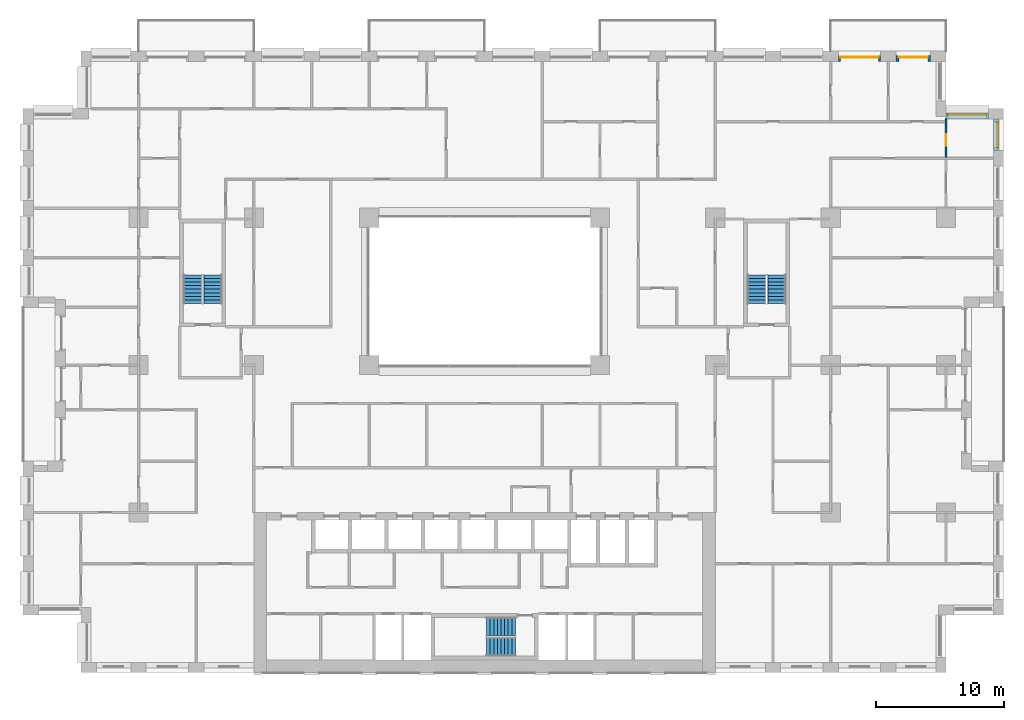
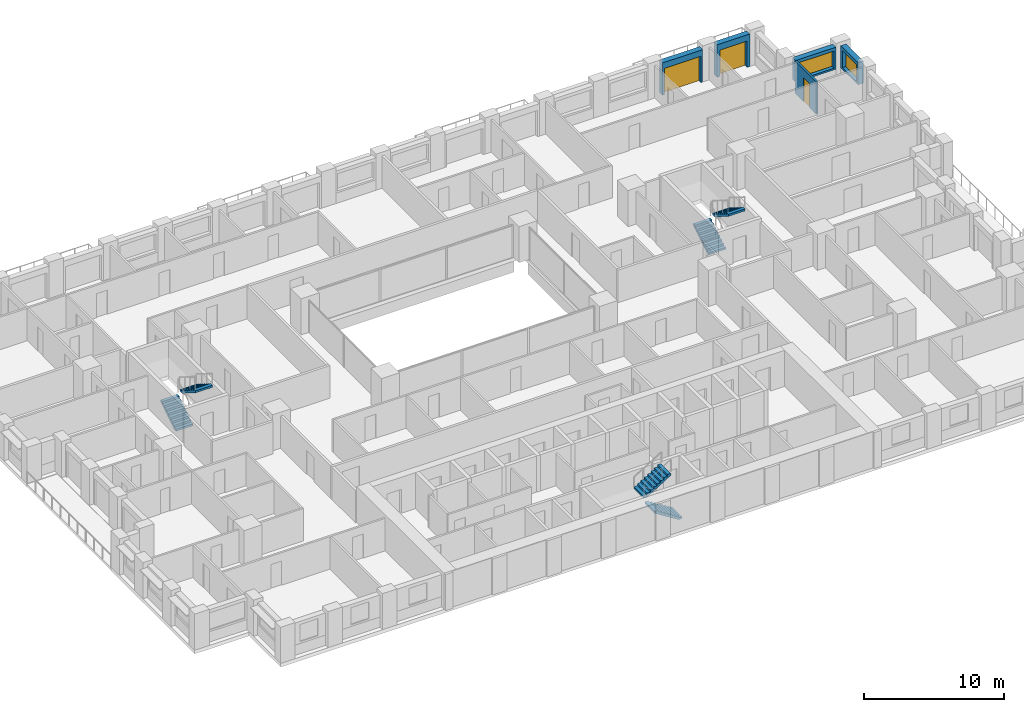
# One storey, part 18 of 20: 6 stair flights, 5 walls, 3 doors, 2 windows, 5 openings, 3 elements without a shape of their own.
"""IFC4 building model written with IfcOpenShell, lengths in metres."""

from ifc_helpers import new_model, si_unit, direction, frame, frame_2d, origin, place, context, subcontext, project, spatial, polyline, rectangle, outline, extrude, material, layer, layer_set, type_object, element, fill, aggregate, save


model = new_model("IFC4")

# Units and contexts
model_context = context("Model", 3, precision=1e-05, world=origin(), true_north=direction((0.0, 1.0)))
body_context = subcontext(model_context, "Body", "Model", "MODEL_VIEW")
ifc_project = project(units=[si_unit("LENGTHUNIT", "METRE"), si_unit("AREAUNIT", "SQUARE_METRE"), si_unit("VOLUMEUNIT", "CUBIC_METRE"), si_unit("PLANEANGLEUNIT", "RADIAN"), si_unit("MASSUNIT", "GRAM", prefix="KILO")], contexts=[model_context])

# Site, building, storey
site_placement = place(None, origin())
site = spatial("IfcSite", under=ifc_project, at=site_placement, CompositionType="ELEMENT")
building_placement = place(site_placement, origin())
building = spatial("IfcBuilding", under=site, at=building_placement, Name="Brigalow Station Residences", CompositionType="ELEMENT")
storey_placement = place(building_placement, frame((0.0, 0.0, 44.699951171875)))
storey = spatial("IfcBuildingStorey", under=building, at=storey_placement, Name="L12", CompositionType="ELEMENT", Elevation=44.699951171875)

# Wall, opening, window
ifc_material_1 = material(Name="Clay brick masonry", Category="masonry")
ifc_layer_1 = layer(ifc_material_1, 0.449951171875)
ifc_layer_set_1 = layer_set([ifc_layer_1], Name="BRICK INFILL WALL 450")
wall_type_1 = type_object("IfcWallType", Name="BRICK INFILL WALL 450", PredefinedType="SOLIDWALL", material=ifc_layer_set_1)
wall_1_placement = place(storey_placement, frame((75.925048828125, 40.72509765625, 0.900146484375), z_axis=(0.0, 0.0, 1.0), x_axis=(0.0, 1.0, 0.0)))
wall_1 = element("IfcWall", 1, at=wall_1_placement, inside=storey, type_object=wall_type_1, Name="L12/ewall/W-L12-22", PredefinedType="SOLIDWALL", context=body_context, shape_type="SweptSolid", body=[
    extrude(rectangle(XDim=2.474853515625, YDim=0.449951171875, at=frame_2d((1.2373046875, 0.0))), origin(), (0.0, 0.0, 1.0), 1.929931640625),
])
opening_1_placement = place(wall_1_placement, frame((0.237548828125, 0.0, 0.14990234375)))
opening_1 = element("IfcOpeningElement", 2, at=opening_1_placement, cuts=wall_1, Name="Opening WT-7", PredefinedType="OPENING", context=body_context, shape_type="SweptSolid", body=[
    extrude(rectangle(XDim=2.0, YDim=1.5, at=frame_2d((1.0, 0.75))), frame((0.0, 0.23486328125, 0.0), z_axis=(0.0, -1.0, 0.0), x_axis=(1.0, 0.0, 0.0)), (0.0, 0.0, 1.0), 0.469970703125),
])
ifc_material_2 = material(Name="Anodised aluminium frame with double glazing", Category="aluminium")
window_type_1 = type_object("IfcWindowType", Name="WINDOW 2000x1500", PartitioningType="SINGLE_PANEL", PredefinedType="WINDOW", material=ifc_material_2)
window_1_placement = place(opening_1_placement, origin())
window_1 = element("IfcWindow", 3, at=window_1_placement, inside=storey, type_object=window_type_1, Name="L12/window/W-L12-22", OverallHeight=1.5, OverallWidth=2.0, PartitioningType="SINGLE_PANEL", PredefinedType="WINDOW", context=body_context, shape_type="SweptSolid", body=[
    extrude(rectangle(XDim=2.0, YDim=1.5, at=frame_2d((1.0, 0.75))), frame((0.0, -0.06494140625, 0.0), z_axis=(0.0, -1.0, 0.0), x_axis=(1.0, 0.0, 0.0)), (0.0, 0.0, 1.0), 0.06005859375),
])
fill(opening_1, window_1)

wall_2_placement = place(storey_placement, frame((75.300048828125, 43.425048828125, 0.900146484375), z_axis=(0.0, 0.0, 1.0), x_axis=(-1.0, 0.0, 0.0)))
wall_2 = element("IfcWall", 4, at=wall_2_placement, inside=storey, type_object=wall_type_1, Name="L12/ewall/W-L12-23", PredefinedType="SOLIDWALL", context=body_context, shape_type="SweptSolid", body=[
    extrude(rectangle(XDim=3.300048828125, YDim=0.449951171875, at=frame_2d((1.64990234375, 0.0))), origin(), (0.0, 0.0, 1.0), 1.929931640625),
])
opening_2_placement = place(wall_2_placement, frame((0.14990234375, 0.0, 0.14990234375)))
opening_2 = element("IfcOpeningElement", 5, at=opening_2_placement, cuts=wall_2, Name="Opening WT-2", PredefinedType="OPENING", context=body_context, shape_type="SweptSolid", body=[
    extrude(rectangle(XDim=3.0, YDim=1.5, at=frame_2d((1.5, 0.75))), frame((0.0, 0.23486328125, 0.0), z_axis=(0.0, -1.0, 0.0), x_axis=(1.0, 0.0, 0.0)), (0.0, 0.0, 1.0), 0.469970703125),
])
ifc_material_3 = material(Name="Anodised aluminium frame with double glazing", Category="aluminium")
window_type_2 = type_object("IfcWindowType", Name="WINDOW 3000x1500", PartitioningType="SINGLE_PANEL", PredefinedType="WINDOW", material=ifc_material_3)
window_2_placement = place(opening_2_placement, origin())
window_2 = element("IfcWindow", 6, at=window_2_placement, inside=storey, type_object=window_type_2, Name="L12/window/W-L12-23", OverallHeight=1.5, OverallWidth=3.0, PartitioningType="SINGLE_PANEL", PredefinedType="WINDOW", context=body_context, shape_type="SweptSolid", body=[
    extrude(rectangle(XDim=3.0, YDim=1.5, at=frame_2d((1.5, 0.75))), frame((0.0, -0.06494140625, 0.0), z_axis=(0.0, -1.0, 0.0), x_axis=(1.0, 0.0, 0.0)), (0.0, 0.0, 1.0), 0.06005859375),
])
fill(opening_2, window_2)

# Wall, opening, door
wall_3_placement = place(storey_placement, frame((70.800048828125, 47.925048828125, 0.0), z_axis=(0.0, 0.0, 1.0), x_axis=(-1.0, 0.0, 0.0)))
wall_3 = element("IfcWall", 7, at=wall_3_placement, inside=storey, type_object=wall_type_1, Name="L12/ewall/W-L12-25", PredefinedType="SOLIDWALL", context=body_context, shape_type="SweptSolid", body=[
    extrude(rectangle(XDim=2.699951171875, YDim=0.449951171875, at=frame_2d((1.35009765625, 0.0))), origin(), (0.0, 0.0, 1.0), 2.830078125),
])
opening_3_placement = place(wall_3_placement, frame((0.22509765625, 0.0, 0.0)))
opening_3 = element("IfcOpeningElement", 8, at=opening_3_placement, cuts=wall_3, Name="Opening D-B2250", PredefinedType="OPENING", context=body_context, shape_type="SweptSolid", body=[
    extrude(rectangle(XDim=2.25, YDim=2.300048828125, at=frame_2d((1.125, 1.14990234375))), frame((0.0, 0.23486328125, 0.0), z_axis=(0.0, -1.0, 0.0), x_axis=(1.0, 0.0, 0.0)), (0.0, 0.0, 1.0), 0.469970703125),
])
ifc_material_4 = material(Name="Anodised aluminium frame with double glazing", Category="aluminium")
door_type_1 = type_object("IfcDoorType", Name="BALCONY SLIDING DOOR 2250x2300", OperationType="SLIDING_TO_LEFT", PredefinedType="DOOR", material=ifc_material_4)
door_1_placement = place(opening_3_placement, origin())
door_1 = element("IfcDoor", 9, at=door_1_placement, inside=storey, type_object=door_type_1, Name="L12/balcony-door/W-L12-25", OperationType="SLIDING_TO_LEFT", OverallHeight=2.300048828125, OverallWidth=2.25, PredefinedType="DOOR", context=body_context, shape_type="SweptSolid", body=[
    extrude(rectangle(XDim=2.25, YDim=2.300048828125, at=frame_2d((1.125, 1.14990234375))), frame((0.0, -0.06982421875, 0.0), z_axis=(0.0, -1.0, 0.0), x_axis=(1.0, 0.0, 0.0)), (0.0, 0.0, 1.0), 0.050048828125),
])
fill(opening_3, door_1)

wall_4_placement = place(storey_placement, frame((66.89990234375, 47.925048828125, 0.0), z_axis=(0.0, 0.0, 1.0), x_axis=(-1.0, 0.0, 0.0)))
wall_4 = element("IfcWall", 10, at=wall_4_placement, inside=storey, type_object=wall_type_1, Name="L12/ewall/W-L12-26", PredefinedType="SOLIDWALL", context=body_context, shape_type="SweptSolid", body=[
    extrude(rectangle(XDim=3.2998046875, YDim=0.449951171875, at=frame_2d((1.64990234375, 0.0))), origin(), (0.0, 0.0, 1.0), 2.830078125),
])
opening_4_placement = place(wall_4_placement, frame((0.14990234375, 0.0, 0.0)))
opening_4 = element("IfcOpeningElement", 11, at=opening_4_placement, cuts=wall_4, Name="Opening D-B3000", PredefinedType="OPENING", context=body_context, shape_type="SweptSolid", body=[
    extrude(rectangle(XDim=3.0, YDim=2.300048828125, at=frame_2d((1.5, 1.14990234375))), frame((0.0, 0.23486328125, 0.0), z_axis=(0.0, -1.0, 0.0), x_axis=(1.0, 0.0, 0.0)), (0.0, 0.0, 1.0), 0.469970703125),
])
ifc_material_5 = material(Name="Anodised aluminium frame with double glazing", Category="aluminium")
door_type_2 = type_object("IfcDoorType", Name="BALCONY SLIDING DOOR 3000x2300", OperationType="SLIDING_TO_LEFT", PredefinedType="DOOR", material=ifc_material_5)
door_2_placement = place(opening_4_placement, origin())
door_2 = element("IfcDoor", 12, at=door_2_placement, inside=storey, type_object=door_type_2, Name="L12/balcony-door/W-L12-26", OperationType="SLIDING_TO_LEFT", OverallHeight=2.300048828125, OverallWidth=3.0, PredefinedType="DOOR", context=body_context, shape_type="SweptSolid", body=[
    extrude(rectangle(XDim=3.0, YDim=2.300048828125, at=frame_2d((1.5, 1.14990234375))), frame((0.0, -0.06982421875, 0.0), z_axis=(0.0, -1.0, 0.0), x_axis=(1.0, 0.0, 0.0)), (0.0, 0.0, 1.0), 0.050048828125),
])
fill(opening_4, door_2)

ifc_material_6 = material(Name="Plasterboard on steel stud partition", Category="steel")
ifc_layer_2 = layer(ifc_material_6, 0.14990234375)
ifc_layer_set_2 = layer_set([ifc_layer_2], Name="FLAT PARTITION 150")
wall_type_2 = type_object("IfcWallType", Name="FLAT PARTITION 150", PredefinedType="PARTITIONING", material=ifc_layer_set_2)
wall_5_placement = place(storey_placement, frame((72.0, 40.199951171875, 0.0), z_axis=(0.0, 0.0, 1.0), x_axis=(0.0, 1.0, 0.0)))
wall_5 = element("IfcWall", 13, at=wall_5_placement, inside=storey, type_object=wall_type_2, Name="PW-1C77", PredefinedType="PARTITIONING", context=body_context, shape_type="SweptSolid", body=[
    extrude(rectangle(XDim=3.0, YDim=0.14990234375, at=frame_2d((1.5, 0.0))), origin(), (0.0, 0.0, 1.0), 2.830078125),
])
opening_5_placement = place(wall_5_placement, frame((0.912109375, 0.0, 0.0)))
opening_5 = element("IfcOpeningElement", 14, at=opening_5_placement, cuts=wall_5, Name="Opening D-1C42", PredefinedType="OPENING", context=body_context, shape_type="SweptSolid", body=[
    extrude(rectangle(XDim=0.89990234375, YDim=2.10009765625, at=frame_2d((0.449951171875, 1.050048828125))), frame((0.0, 0.0849609375, 0.0), z_axis=(0.0, -1.0, 0.0), x_axis=(1.0, 0.0, 0.0)), (0.0, 0.0, 1.0), 0.169921875),
])
ifc_material_7 = material(Name="Solid-core timber door leaf", Category="wood")
door_type_3 = type_object("IfcDoorType", Name="INTERNAL DOOR 900 x 2100", OperationType="SINGLE_SWING_LEFT", PredefinedType="DOOR", material=ifc_material_7)
door_3_placement = place(opening_5_placement, frame((0.89990234375, 0.0, 0.0), z_axis=(0.0, 0.0, 1.0), x_axis=(-1.0, 0.0, 0.0)))
door_3 = element("IfcDoor", 15, at=door_3_placement, inside=storey, type_object=door_type_3, Name="D-1C42", OperationType="SINGLE_SWING_RIGHT", OverallHeight=2.10009765625, OverallWidth=0.89990234375, PredefinedType="DOOR", context=body_context, shape_type="SweptSolid", body=[
    extrude(rectangle(XDim=0.89990234375, YDim=2.10009765625, at=frame_2d((0.449951171875, 1.050048828125))), frame((0.0, 0.02490234375, 0.0), z_axis=(0.0, -1.0, 0.0), x_axis=(1.0, 0.0, 0.0)), (0.0, 0.0, 1.0), 0.050048828125),
])
fill(opening_5, door_3)

# Stair, stair flights
ifc_material_8 = material(Name="Concrete C50", Category="concrete")
stair_type = type_object("IfcStairType", Name="EXIT STAIR 1400 2 FLIGHT", PredefinedType="HALF_TURN_STAIR", material=ifc_material_8)
stair_1_placement = place(storey_placement, origin())
stair_1 = element("IfcStair", 16, at=stair_1_placement, inside=storey, type_object=stair_type, Name="EXIT STAIR S2 L12", PredefinedType="HALF_TURN_STAIR")
ifc_material_9 = material(Name="Concrete C50", Category="concrete")
stair_flight_type = type_object("IfcStairFlightType", Name="STAIR FLIGHT 1400", PredefinedType="STRAIGHT", material=ifc_material_9)
stair_flight_1_placement = place(storey_placement, frame((38.39990234375, 2.0, 0.0), z_axis=(0.0, 0.0, 1.0), x_axis=(-1.0, 0.0, 0.0)))
stair_flight_1 = element("IfcStairFlight", 17, at=stair_flight_1_placement, type_object=stair_flight_type, Name="ST-2 flight 1", NumberOfRisers=9, NumberOfTreads=8, PredefinedType="STRAIGHT", RiserHeight=0.175, TreadLength=0.28, context=body_context, shape_type="SweptSolid", body=[
    extrude(outline(polyline([(0.0, 0.0), (0.0, 0.175048828125), (0.280029296875, 0.175048828125), (0.280029296875, 0.35009765625), (0.56005859375, 0.35009765625), (0.56005859375, 0.52490234375), (0.840087890625, 0.52490234375), (0.840087890625, 0.699951171875), (1.1201171875, 0.699951171875), (1.1201171875, 0.875), (1.39990234375, 0.875), (1.39990234375, 1.050048828125), (1.679931640625, 1.050048828125), (1.679931640625, 1.22509765625), (1.9599609375, 1.22509765625), (1.9599609375, 1.39990234375), (2.239990234375, 1.39990234375), (2.239990234375, 1.574951171875), (2.239990234375, 1.22314453125), (0.28271484375, 0.0), (0.0, 0.0)])), frame((0.0, 0.699951171875, 0.0), z_axis=(0.0, -1.0, 0.0), x_axis=(1.0, 0.0, 0.0)), (0.0, 0.0, 1.0), 1.39990234375),
])
stair_flight_2_placement = place(storey_placement, frame((36.159912109375, 3.60009765625, 1.574951171875), z_axis=(0.0, 0.0, 1.0), x_axis=(1.0, 0.0, 0.0)))
stair_flight_2 = element("IfcStairFlight", 18, at=stair_flight_2_placement, type_object=stair_flight_type, Name="ST-2 flight 2", NumberOfRisers=9, NumberOfTreads=8, PredefinedType="STRAIGHT", RiserHeight=0.175, TreadLength=0.28, context=body_context, shape_type="SweptSolid", body=[
    extrude(outline(polyline([(0.0, 0.0), (0.0, 0.175048828125), (0.280029296875, 0.175048828125), (0.280029296875, 0.35009765625), (0.56005859375, 0.35009765625), (0.56005859375, 0.52490234375), (0.840087890625, 0.52490234375), (0.840087890625, 0.699951171875), (1.1201171875, 0.699951171875), (1.1201171875, 0.875), (1.39990234375, 0.875), (1.39990234375, 1.050048828125), (1.679931640625, 1.050048828125), (1.679931640625, 1.22509765625), (1.9599609375, 1.22509765625), (1.9599609375, 1.39990234375), (2.239990234375, 1.39990234375), (2.239990234375, 1.574951171875), (2.239990234375, 1.22314453125), (0.28271484375, 0.0), (0.0, 0.0)])), frame((0.0, 0.699951171875, 0.0), z_axis=(0.0, -1.0, 0.0), x_axis=(1.0, 0.0, 0.0)), (0.0, 0.0, 1.0), 1.39990234375),
])
aggregate(stair_1, [stair_flight_1, stair_flight_2])

stair_2_placement = place(storey_placement, origin())
stair_2 = element("IfcStair", 19, at=stair_2_placement, inside=storey, type_object=stair_type, Name="EXIT STAIR S1 L12", PredefinedType="HALF_TURN_STAIR")
stair_flight_3_placement = place(storey_placement, frame((13.199951171875, 28.800048828125, 0.0), z_axis=(0.0, 0.0, 1.0), x_axis=(0.0, 1.0, 0.0)))
stair_flight_3 = element("IfcStairFlight", 20, at=stair_flight_3_placement, type_object=stair_flight_type, Name="ST-1 flight 1", NumberOfRisers=9, NumberOfTreads=8, PredefinedType="STRAIGHT", RiserHeight=0.175, TreadLength=0.28, context=body_context, shape_type="SweptSolid", body=[
    extrude(outline(polyline([(0.0, 0.0), (0.0, 0.175048828125), (0.280029296875, 0.175048828125), (0.280029296875, 0.35009765625), (0.56005859375, 0.35009765625), (0.56005859375, 0.52490234375), (0.840087890625, 0.52490234375), (0.840087890625, 0.699951171875), (1.1201171875, 0.699951171875), (1.1201171875, 0.875), (1.39990234375, 0.875), (1.39990234375, 1.050048828125), (1.679931640625, 1.050048828125), (1.679931640625, 1.22509765625), (1.9599609375, 1.22509765625), (1.9599609375, 1.39990234375), (2.239990234375, 1.39990234375), (2.239990234375, 1.574951171875), (2.239990234375, 1.22314453125), (0.28271484375, 0.0), (0.0, 0.0)])), frame((0.0, 0.699951171875, 0.0), z_axis=(0.0, -1.0, 0.0), x_axis=(1.0, 0.0, 0.0)), (0.0, 0.0, 1.0), 1.39990234375),
])
stair_flight_4_placement = place(storey_placement, frame((14.800048828125, 31.0400390625, 1.574951171875), z_axis=(0.0, 0.0, 1.0), x_axis=(0.0, -1.0, 0.0)))
stair_flight_4 = element("IfcStairFlight", 21, at=stair_flight_4_placement, type_object=stair_flight_type, Name="ST-1 flight 2", NumberOfRisers=9, NumberOfTreads=8, PredefinedType="STRAIGHT", RiserHeight=0.175, TreadLength=0.28, context=body_context, shape_type="SweptSolid", body=[
    extrude(outline(polyline([(0.0, 0.0), (0.0, 0.175048828125), (0.280029296875, 0.175048828125), (0.280029296875, 0.35009765625), (0.56005859375, 0.35009765625), (0.56005859375, 0.52490234375), (0.840087890625, 0.52490234375), (0.840087890625, 0.699951171875), (1.1201171875, 0.699951171875), (1.1201171875, 0.875), (1.39990234375, 0.875), (1.39990234375, 1.050048828125), (1.679931640625, 1.050048828125), (1.679931640625, 1.22509765625), (1.9599609375, 1.22509765625), (1.9599609375, 1.39990234375), (2.239990234375, 1.39990234375), (2.239990234375, 1.574951171875), (2.239990234375, 1.22314453125), (0.28271484375, 0.0), (0.0, 0.0)])), frame((0.0, 0.699951171875, 0.0), z_axis=(0.0, -1.0, 0.0), x_axis=(1.0, 0.0, 0.0)), (0.0, 0.0, 1.0), 1.39990234375),
])
aggregate(stair_2, [stair_flight_3, stair_flight_4])

stair_3_placement = place(storey_placement, origin())
stair_3 = element("IfcStair", 22, at=stair_3_placement, inside=storey, type_object=stair_type, Name="EXIT STAIR S3 L12", PredefinedType="HALF_TURN_STAIR")
stair_flight_5_placement = place(storey_placement, frame((57.199951171875, 28.800048828125, 0.0), z_axis=(0.0, 0.0, 1.0), x_axis=(0.0, 1.0, 0.0)))
stair_flight_5 = element("IfcStairFlight", 23, at=stair_flight_5_placement, type_object=stair_flight_type, Name="ST-3 flight 1", NumberOfRisers=9, NumberOfTreads=8, PredefinedType="STRAIGHT", RiserHeight=0.175, TreadLength=0.28, context=body_context, shape_type="SweptSolid", body=[
    extrude(outline(polyline([(0.0, 0.0), (0.0, 0.175048828125), (0.280029296875, 0.175048828125), (0.280029296875, 0.35009765625), (0.56005859375, 0.35009765625), (0.56005859375, 0.52490234375), (0.840087890625, 0.52490234375), (0.840087890625, 0.699951171875), (1.1201171875, 0.699951171875), (1.1201171875, 0.875), (1.39990234375, 0.875), (1.39990234375, 1.050048828125), (1.679931640625, 1.050048828125), (1.679931640625, 1.22509765625), (1.9599609375, 1.22509765625), (1.9599609375, 1.39990234375), (2.239990234375, 1.39990234375), (2.239990234375, 1.574951171875), (2.239990234375, 1.22314453125), (0.28271484375, 0.0), (0.0, 0.0)])), frame((0.0, 0.699951171875, 0.0), z_axis=(0.0, -1.0, 0.0), x_axis=(1.0, 0.0, 0.0)), (0.0, 0.0, 1.0), 1.39990234375),
])
stair_flight_6_placement = place(storey_placement, frame((58.800048828125, 31.0400390625, 1.574951171875), z_axis=(0.0, 0.0, 1.0), x_axis=(0.0, -1.0, 0.0)))
stair_flight_6 = element("IfcStairFlight", 24, at=stair_flight_6_placement, type_object=stair_flight_type, Name="ST-3 flight 2", NumberOfRisers=9, NumberOfTreads=8, PredefinedType="STRAIGHT", RiserHeight=0.175, TreadLength=0.28, context=body_context, shape_type="SweptSolid", body=[
    extrude(outline(polyline([(0.0, 0.0), (0.0, 0.175048828125), (0.280029296875, 0.175048828125), (0.280029296875, 0.35009765625), (0.56005859375, 0.35009765625), (0.56005859375, 0.52490234375), (0.840087890625, 0.52490234375), (0.840087890625, 0.699951171875), (1.1201171875, 0.699951171875), (1.1201171875, 0.875), (1.39990234375, 0.875), (1.39990234375, 1.050048828125), (1.679931640625, 1.050048828125), (1.679931640625, 1.22509765625), (1.9599609375, 1.22509765625), (1.9599609375, 1.39990234375), (2.239990234375, 1.39990234375), (2.239990234375, 1.574951171875), (2.239990234375, 1.22314453125), (0.28271484375, 0.0), (0.0, 0.0)])), frame((0.0, 0.699951171875, 0.0), z_axis=(0.0, -1.0, 0.0), x_axis=(1.0, 0.0, 0.0)), (0.0, 0.0, 1.0), 1.39990234375),
])
aggregate(stair_3, [stair_flight_5, stair_flight_6])

save(model, "model.ifc")
